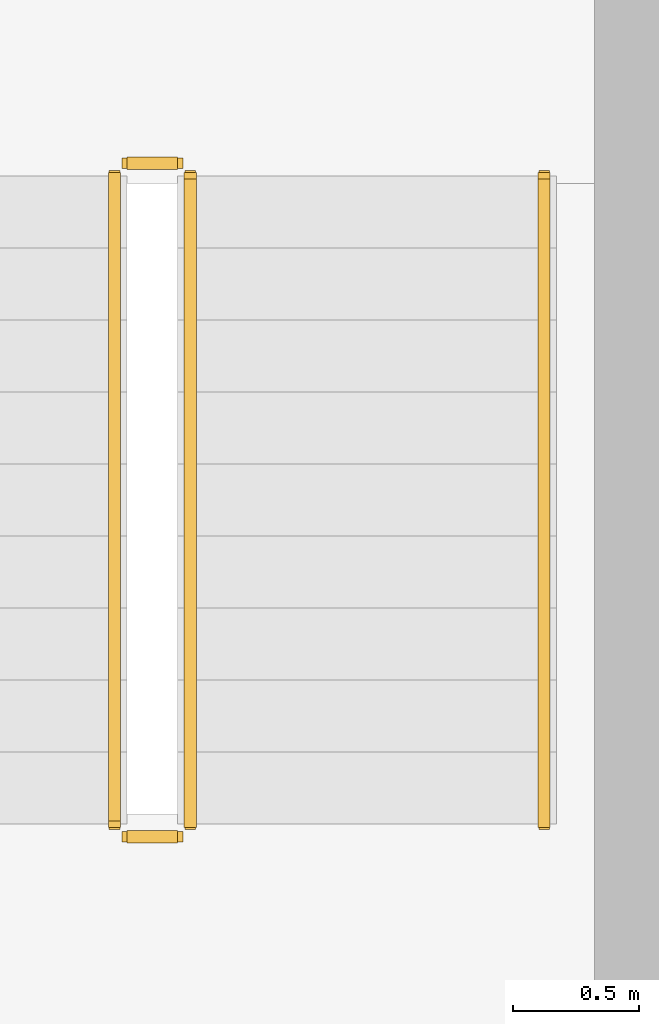
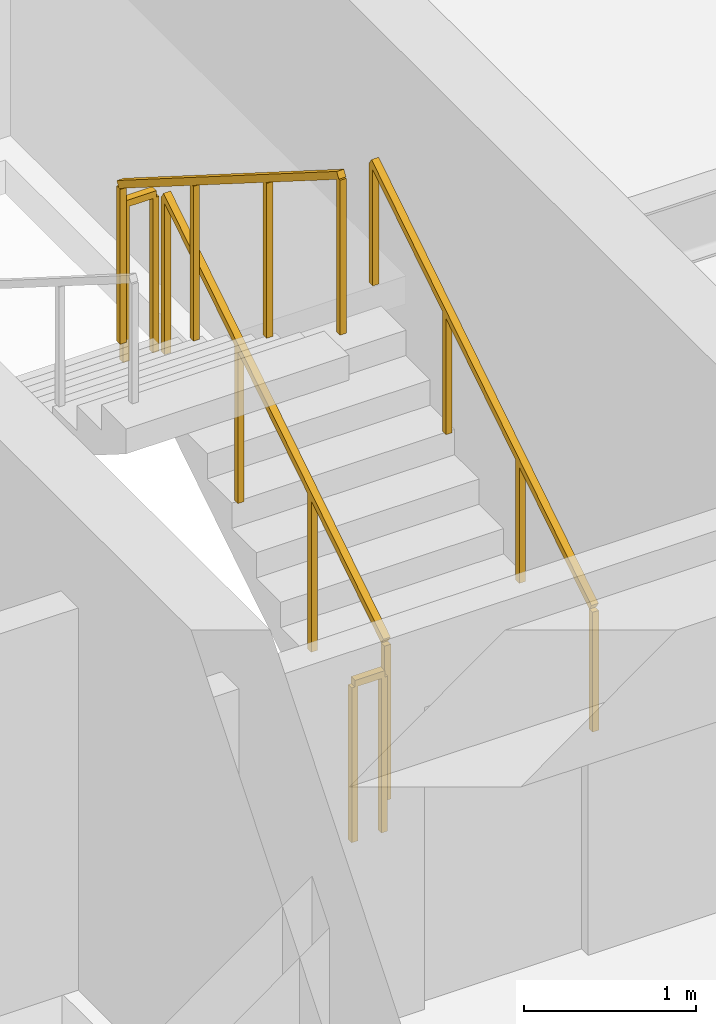
# One storey, part 23 of 23: 5 railings.
"""IFC4 building model written with IfcOpenShell, lengths in metres."""

from ifc_helpers import new_model, si_unit, direction, frame, origin, origin_2d, place, context, subcontext, project, spatial, rectangle, extrude, material, type_object, element, save


model = new_model("IFC4")

# Units and contexts
model_context = context("Model", 3, precision=1e-05, world=origin(), true_north=direction((0.0, 1.0)))
body_context = subcontext(model_context, "Body", "Model", "MODEL_VIEW")
ifc_project = project(units=[si_unit("LENGTHUNIT", "METRE"), si_unit("AREAUNIT", "SQUARE_METRE"), si_unit("VOLUMEUNIT", "CUBIC_METRE"), si_unit("PLANEANGLEUNIT", "RADIAN"), si_unit("MASSUNIT", "GRAM", prefix="KILO")], contexts=[model_context])

# Site, building, storey
site_placement = place(None, origin())
site = spatial("IfcSite", under=ifc_project, at=site_placement, CompositionType="ELEMENT")
building_placement = place(site_placement, origin())
building = spatial("IfcBuilding", under=site, at=building_placement, Name="Sarneth Arch Tower", CompositionType="ELEMENT")
storey_placement = place(building_placement, frame((0.0, 0.0, 217.199951171875)))
storey = spatial("IfcBuildingStorey", under=building, at=storey_placement, Name="L55", CompositionType="ELEMENT", Elevation=217.199951171875)

# Railings
ifc_material_1 = material(Name="Brushed Stainless Steel 304 tubular handrail", Category="steel")
railing_type_1 = type_object("IfcRailingType", Name="RAIL-HANDRAIL-900", PredefinedType="HANDRAIL", material=ifc_material_1)
railing_1_placement = place(storey_placement, frame((58.60009765625, 41.449951171875, 0.179931640625)))
element("IfcRailing", 1, at=railing_1_placement, inside=storey, type_object=railing_type_1, Name="L55 ST-2 stair handrail 1", PredefinedType="HANDRAIL", context=body_context, shape_type="SweptSolid", body=[
    extrude(rectangle(XDim=0.048095703125, YDim=0.048095703125, at=origin_2d()), frame((0.0, 0.0, 0.8759765625), z_axis=(0.0, 0.845465955043, 0.534029323973), x_axis=(-1.0, 0.0, 0.0)), (0.0, 0.0, 1.0), 3.03369140625),
    extrude(rectangle(XDim=0.0419921875, YDim=0.0419921875, at=origin_2d()), origin(), (0.0, 0.0, 1.0), 0.851806640625),
    extrude(rectangle(XDim=0.0419921875, YDim=0.0419921875, at=origin_2d()), frame((0.0, 0.85498046875, 0.5400390625)), (0.0, 0.0, 1.0), 0.851806640625),
    extrude(rectangle(XDim=0.0419921875, YDim=0.0419921875, at=origin_2d()), frame((0.0, 1.7099609375, 1.080078125)), (0.0, 0.0, 1.0), 0.851806640625),
    extrude(rectangle(XDim=0.0419921875, YDim=0.0419921875, at=origin_2d()), frame((0.0, 2.56494140625, 1.6201171875)), (0.0, 0.0, 1.0), 0.851806640625),
])
ifc_material_2 = material(Name="Painted Steel S275 stair well guard", Category="steel")
railing_type_2 = type_object("IfcRailingType", Name="RAIL-STAIR-GUARD", PredefinedType="GUARDRAIL", material=ifc_material_2)
railing_2_placement = place(storey_placement, frame((57.199951171875, 41.449951171875, 0.179931640625)))
element("IfcRailing", 2, at=railing_2_placement, inside=storey, type_object=railing_type_2, Name="L55 ST-2 stair guard 1", PredefinedType="GUARDRAIL", context=body_context, shape_type="SweptSolid", body=[
    extrude(rectangle(XDim=0.048095703125, YDim=0.048095703125, at=origin_2d()), frame((0.0, 0.0, 1.1259765625), z_axis=(0.0, 0.845465955043, 0.534029323973), x_axis=(-1.0, 0.0, 0.0)), (0.0, 0.0, 1.0), 3.03369140625),
    extrude(rectangle(XDim=0.0419921875, YDim=0.0419921875, at=origin_2d()), origin(), (0.0, 0.0, 1.0), 1.101806640625),
    extrude(rectangle(XDim=0.0419921875, YDim=0.0419921875, at=origin_2d()), frame((0.0, 0.85498046875, 0.5400390625)), (0.0, 0.0, 1.0), 1.101806640625),
    extrude(rectangle(XDim=0.0419921875, YDim=0.0419921875, at=origin_2d()), frame((0.0, 1.7099609375, 1.080078125)), (0.0, 0.0, 1.0), 1.101806640625),
    extrude(rectangle(XDim=0.0419921875, YDim=0.0419921875, at=origin_2d()), frame((0.0, 2.56494140625, 1.6201171875)), (0.0, 0.0, 1.0), 1.101806640625),
])
railing_3_placement = place(storey_placement, frame((57.14990234375, 44.06494140625, 1.800048828125)))
element("IfcRailing", 3, at=railing_3_placement, inside=storey, type_object=railing_type_2, Name="L55 ST-2 stair guard 2", PredefinedType="GUARDRAIL", context=body_context, shape_type="SweptSolid", body=[
    extrude(rectangle(XDim=0.048095703125, YDim=0.048095703125, at=origin_2d()), frame((0.0, 0.0, 1.1259765625), z_axis=(-1.0, 0.0, 0.0), x_axis=(0.0, -1.0, 0.0)), (0.0, 0.0, 1.0), 0.199951171875),
    extrude(rectangle(XDim=0.0419921875, YDim=0.0419921875, at=origin_2d()), origin(), (0.0, 0.0, 1.0), 1.101806640625),
    extrude(rectangle(XDim=0.0419921875, YDim=0.0419921875, at=origin_2d()), frame((-0.199951171875, 0.0, 0.0)), (0.0, 0.0, 1.0), 1.101806640625),
])
railing_4_placement = place(storey_placement, frame((56.89990234375, 44.014892578125, 1.97998046875)))
element("IfcRailing", 4, at=railing_4_placement, inside=storey, type_object=railing_type_2, Name="L55 ST-2 stair guard 3", PredefinedType="GUARDRAIL", context=body_context, shape_type="SweptSolid", body=[
    extrude(rectangle(XDim=0.048095703125, YDim=0.048095703125, at=origin_2d()), frame((0.0, 0.0, 1.1259765625), z_axis=(0.0, -0.845465955043, 0.534029323973), x_axis=(1.0, 0.0, 0.0)), (0.0, 0.0, 1.0), 3.03369140625),
    extrude(rectangle(XDim=0.0419921875, YDim=0.0419921875, at=origin_2d()), origin(), (0.0, 0.0, 1.0), 1.101806640625),
    extrude(rectangle(XDim=0.0419921875, YDim=0.0419921875, at=origin_2d()), frame((0.0, -0.85498046875, 0.5400390625)), (0.0, 0.0, 1.0), 1.101806640625),
    extrude(rectangle(XDim=0.0419921875, YDim=0.0419921875, at=origin_2d()), frame((0.0, -1.7099609375, 1.080078125)), (0.0, 0.0, 1.0), 1.101806640625),
    extrude(rectangle(XDim=0.0419921875, YDim=0.0419921875, at=origin_2d()), frame((0.0, -2.56494140625, 1.6201171875)), (0.0, 0.0, 1.0), 1.101806640625),
])
railing_5_placement = place(storey_placement, frame((57.14990234375, 41.39990234375, 0.0)))
element("IfcRailing", 5, at=railing_5_placement, inside=storey, type_object=railing_type_2, Name="L55 ST-2 stair guard 4", PredefinedType="GUARDRAIL", context=body_context, shape_type="SweptSolid", body=[
    extrude(rectangle(XDim=0.048095703125, YDim=0.048095703125, at=origin_2d()), frame((0.0, 0.0, 1.1259765625), z_axis=(-1.0, 0.0, 0.0), x_axis=(0.0, -1.0, 0.0)), (0.0, 0.0, 1.0), 0.199951171875),
    extrude(rectangle(XDim=0.0419921875, YDim=0.0419921875, at=origin_2d()), origin(), (0.0, 0.0, 1.0), 1.101806640625),
    extrude(rectangle(XDim=0.0419921875, YDim=0.0419921875, at=origin_2d()), frame((-0.199951171875, 0.0, 0.0)), (0.0, 0.0, 1.0), 1.101806640625),
])

save(model, "model.ifc")
